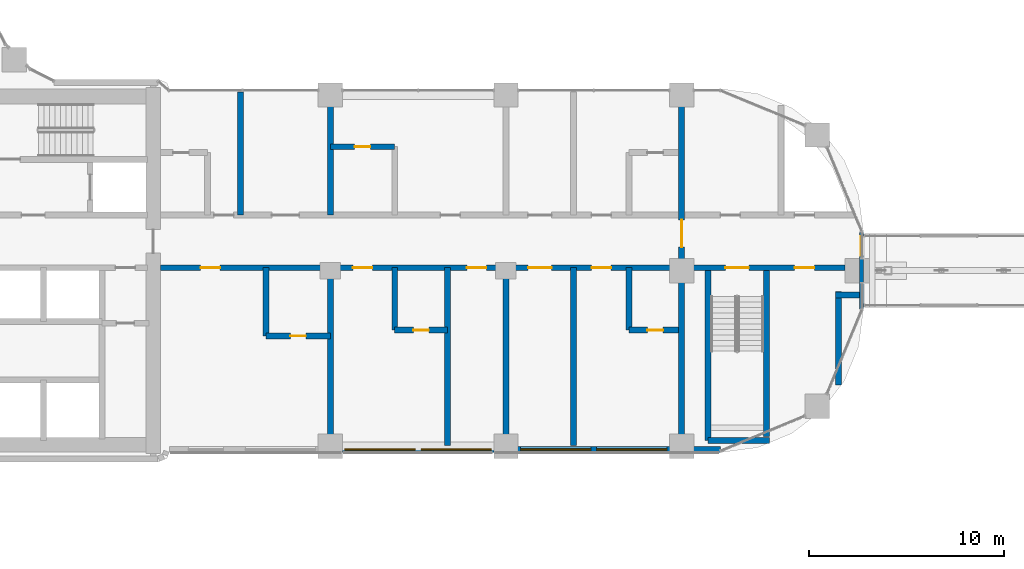
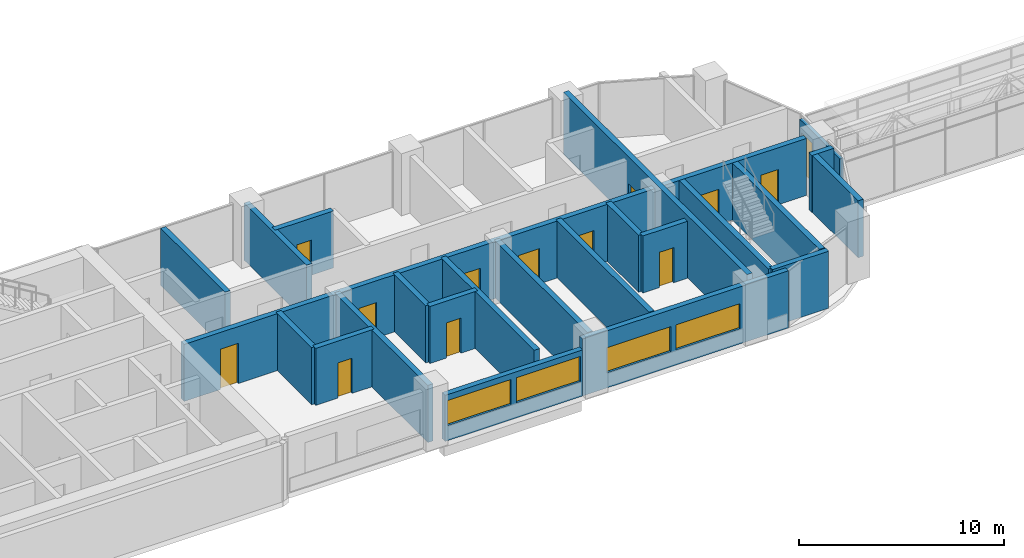
# One storey, part 20 of 33: 24 walls, 13 doors, 4 windows, 17 openings.
"""IFC4 building model written with IfcOpenShell, lengths in metres."""

from ifc_helpers import new_model, si_unit, direction, frame, frame_2d, origin, place, context, subcontext, project, spatial, rectangle, extrude, material, layer, layer_set, type_object, element, fill, save


model = new_model("IFC4")

# Units and contexts
model_context = context("Model", 3, precision=1e-05, world=origin(), true_north=direction((0.0, 1.0)))
body_context = subcontext(model_context, "Body", "Model", "MODEL_VIEW")
ifc_project = project(units=[si_unit("LENGTHUNIT", "METRE"), si_unit("AREAUNIT", "SQUARE_METRE"), si_unit("VOLUMEUNIT", "CUBIC_METRE"), si_unit("PLANEANGLEUNIT", "RADIAN"), si_unit("MASSUNIT", "GRAM", prefix="KILO")], contexts=[model_context])

# Site, building, storey
site_placement = place(None, origin())
site = spatial("IfcSite", under=ifc_project, at=site_placement, CompositionType="ELEMENT")
building_placement = place(site_placement, origin())
building = spatial("IfcBuilding", under=site, at=building_placement, Name="Ogive Portal Towers", CompositionType="ELEMENT")
storey_placement = place(building_placement, frame((0.0, 0.0, 101.89990234375)))
storey = spatial("IfcBuildingStorey", under=building, at=storey_placement, Name="L24", CompositionType="ELEMENT", Elevation=101.89990234375)

# Wall, opening, door
ifc_material_1 = material(Name="Limestone cladding on lightweight block wall", Category="masonry")
ifc_layer_1 = layer(ifc_material_1, 0.199951171875)
ifc_layer_set_1 = layer_set([ifc_layer_1], Name="BALCONY BAY WALL 200")
wall_type_1 = type_object("IfcWallType", Name="BALCONY BAY WALL 200", PredefinedType="SOLIDWALL", material=ifc_layer_set_1)
wall_1_placement = place(storey_placement, frame((94.719970703125, 32.4541015625, 0.0), z_axis=(0.0, 0.0, 1.0), x_axis=(0.0, -1.0, 0.0)))
wall_1 = element("IfcWall", 1, at=wall_1_placement, inside=storey, type_object=wall_type_1, Name="A:L24:glasscorr:doorwall", PredefinedType="SOLIDWALL", context=body_context, shape_type="SweptSolid", body=[
    extrude(rectangle(XDim=3.908203125, YDim=0.199951171875, at=frame_2d((1.9541015625, 0.0))), origin(), (0.0, 0.0, 1.0), 3.10009765625),
])
opening_1_placement = place(wall_1_placement, frame((0.19140625, 0.0, 0.0)))
opening_1 = element("IfcOpeningElement", 2, at=opening_1_placement, cuts=wall_1, Name="Opening DX055", PredefinedType="OPENING", context=body_context, shape_type="SweptSolid", body=[
    extrude(rectangle(XDim=1.0, YDim=2.39990234375, at=frame_2d((0.5, 1.199951171875))), frame((0.0, 0.10986328125, 0.0), z_axis=(0.0, -1.0, 0.0), x_axis=(1.0, 0.0, 0.0)), (0.0, 0.0, 1.0), 0.219970703125),
])
ifc_material_2 = material(Name="Steel S355", Category="steel")
door_type_1 = type_object("IfcDoorType", Name="FIRE EXIT DOOR 1000x2400", OperationType="SINGLE_SWING_LEFT", PredefinedType="DOOR", material=ifc_material_2)
door_1_placement = place(opening_1_placement, origin())
door_1 = element("IfcDoor", 3, at=door_1_placement, inside=storey, type_object=door_type_1, Name="A:L24:glasscorr:doorwall/o0", OperationType="SINGLE_SWING_LEFT", OverallHeight=2.39990234375, OverallWidth=1.0, PredefinedType="DOOR", context=body_context, shape_type="SweptSolid", body=[
    extrude(rectangle(XDim=1.0, YDim=2.39990234375, at=frame_2d((0.5, 1.199951171875))), frame((0.0, 0.02490234375, 0.0), z_axis=(0.0, -1.0, 0.0), x_axis=(1.0, 0.0, 0.0)), (0.0, 0.0, 1.0), 0.050048828125),
])
fill(opening_1, door_1)

# Wall, openings, windows
ifc_layer_2 = layer(ifc_material_1, 0.300048828125)
ifc_layer_set_2 = layer_set([ifc_layer_2], Name="EXTERNAL WALL 300 STONE")
wall_type_2 = type_object("IfcWallType", Name="EXTERNAL WALL 300 STONE", PredefinedType="SOLIDWALL", material=ifc_layer_set_2)
wall_2_placement = place(storey_placement, frame((68.125, 21.330078125, 0.0), z_axis=(0.0, 0.0, 1.0), x_axis=(1.0, 0.0, 0.0)))
wall_2 = element("IfcWall", 4, at=wall_2_placement, inside=storey, type_object=wall_type_2, Name="A:L24:f20:r0:wall1", PredefinedType="SOLIDWALL", context=body_context, shape_type="SweptSolid", body=[
    extrude(rectangle(XDim=7.75, YDim=0.300048828125, at=frame_2d((3.875, 0.0))), origin(), (0.0, 0.0, 1.0), 2.75),
])
opening_2_placement = place(wall_2_placement, frame((0.125, 0.0, 0.89990234375)))
opening_2 = element("IfcOpeningElement", 5, at=opening_2_placement, cuts=wall_2, Name="Opening WN12", PredefinedType="OPENING", context=body_context, shape_type="SweptSolid", body=[
    extrude(rectangle(XDim=3.60009765625, YDim=1.5, at=frame_2d((1.800048828125, 0.75))), frame((0.0, 0.16015625, 0.0), z_axis=(0.0, -1.0, 0.0), x_axis=(1.0, 0.0, 0.0)), (0.0, 0.0, 1.0), 0.320068359375),
])
opening_3_placement = place(wall_2_placement, frame((4.02490234375, 0.0, 0.89990234375)))
opening_3 = element("IfcOpeningElement", 6, at=opening_3_placement, cuts=wall_2, Name="Opening WN12", PredefinedType="OPENING", context=body_context, shape_type="SweptSolid", body=[
    extrude(rectangle(XDim=3.60009765625, YDim=1.5, at=frame_2d((1.800048828125, 0.75))), frame((0.0, 0.16015625, 0.0), z_axis=(0.0, -1.0, 0.0), x_axis=(1.0, 0.0, 0.0)), (0.0, 0.0, 1.0), 0.320068359375),
])
ifc_material_3 = material(Name="Glass, clear low-iron insulated glazing", Category="glass")
window_type = type_object("IfcWindowType", Name="WINDOW RIBBON 3600x1500", PartitioningType="TRIPLE_PANEL_VERTICAL", PredefinedType="WINDOW", material=ifc_material_3)
window_1_placement = place(opening_2_placement, origin())
window_1 = element("IfcWindow", 7, at=window_1_placement, inside=storey, type_object=window_type, Name="A:L24:f20:r0:w2", OverallHeight=1.5, OverallWidth=3.60009765625, PartitioningType="SINGLE_PANEL", PredefinedType="WINDOW", context=body_context, shape_type="SweptSolid", body=[
    extrude(rectangle(XDim=3.60009765625, YDim=1.5, at=frame_2d((1.800048828125, 0.75))), frame((0.0, 0.030029296875, 0.0), z_axis=(0.0, -1.0, 0.0), x_axis=(1.0, 0.0, 0.0)), (0.0, 0.0, 1.0), 0.06005859375),
])
fill(opening_2, window_1)
window_2_placement = place(opening_3_placement, origin())
window_2 = element("IfcWindow", 8, at=window_2_placement, inside=storey, type_object=window_type, Name="A:L24:f20:r0:w3", OverallHeight=1.5, OverallWidth=3.60009765625, PartitioningType="SINGLE_PANEL", PredefinedType="WINDOW", context=body_context, shape_type="SweptSolid", body=[
    extrude(rectangle(XDim=3.60009765625, YDim=1.5, at=frame_2d((1.800048828125, 0.75))), frame((0.0, 0.030029296875, 0.0), z_axis=(0.0, -1.0, 0.0), x_axis=(1.0, 0.0, 0.0)), (0.0, 0.0, 1.0), 0.06005859375),
])
fill(opening_3, window_2)

wall_3_placement = place(storey_placement, frame((75.875, 21.330078125, 0.0), z_axis=(0.0, 0.0, 1.0), x_axis=(1.0, 0.0, 0.0)))
wall_3 = element("IfcWall", 9, at=wall_3_placement, inside=storey, type_object=wall_type_2, Name="A:L24:f20:r0:wall2", PredefinedType="SOLIDWALL", context=body_context, shape_type="SweptSolid", body=[
    extrude(rectangle(XDim=11.609130859375, YDim=0.300048828125, at=frame_2d((5.8046875, 0.0))), origin(), (0.0, 0.0, 1.0), 3.400146484375),
])
opening_4_placement = place(wall_3_placement, frame((1.375, 0.0, 0.89990234375)))
opening_4 = element("IfcOpeningElement", 10, at=opening_4_placement, cuts=wall_3, Name="Opening WN12", PredefinedType="OPENING", context=body_context, shape_type="SweptSolid", body=[
    extrude(rectangle(XDim=3.60009765625, YDim=1.5, at=frame_2d((1.800048828125, 0.75))), frame((0.0, 0.16015625, 0.0), z_axis=(0.0, -1.0, 0.0), x_axis=(1.0, 0.0, 0.0)), (0.0, 0.0, 1.0), 0.320068359375),
])
opening_5_placement = place(wall_3_placement, frame((5.27490234375, 0.0, 0.89990234375)))
opening_5 = element("IfcOpeningElement", 11, at=opening_5_placement, cuts=wall_3, Name="Opening WN12", PredefinedType="OPENING", context=body_context, shape_type="SweptSolid", body=[
    extrude(rectangle(XDim=3.60009765625, YDim=1.5, at=frame_2d((1.800048828125, 0.75))), frame((0.0, 0.16015625, 0.0), z_axis=(0.0, -1.0, 0.0), x_axis=(1.0, 0.0, 0.0)), (0.0, 0.0, 1.0), 0.320068359375),
])
window_3_placement = place(opening_4_placement, origin())
window_3 = element("IfcWindow", 12, at=window_3_placement, inside=storey, type_object=window_type, Name="A:L24:f20:r0:w4", OverallHeight=1.5, OverallWidth=3.60009765625, PartitioningType="SINGLE_PANEL", PredefinedType="WINDOW", context=body_context, shape_type="SweptSolid", body=[
    extrude(rectangle(XDim=3.60009765625, YDim=1.5, at=frame_2d((1.800048828125, 0.75))), frame((0.0, 0.030029296875, 0.0), z_axis=(0.0, -1.0, 0.0), x_axis=(1.0, 0.0, 0.0)), (0.0, 0.0, 1.0), 0.06005859375),
])
fill(opening_4, window_3)
window_4_placement = place(opening_5_placement, origin())
window_4 = element("IfcWindow", 13, at=window_4_placement, inside=storey, type_object=window_type, Name="A:L24:f20:r0:w5", OverallHeight=1.5, OverallWidth=3.60009765625, PartitioningType="SINGLE_PANEL", PredefinedType="WINDOW", context=body_context, shape_type="SweptSolid", body=[
    extrude(rectangle(XDim=3.60009765625, YDim=1.5, at=frame_2d((1.800048828125, 0.75))), frame((0.0, 0.030029296875, 0.0), z_axis=(0.0, -1.0, 0.0), x_axis=(1.0, 0.0, 0.0)), (0.0, 0.0, 1.0), 0.06005859375),
])
fill(opening_5, window_4)

# Wall, opening, door
ifc_material_4 = material(Name="Concrete C60/75", Category="concrete")
ifc_layer_3 = layer(ifc_material_4, 0.300048828125)
ifc_layer_set_3 = layer_set([ifc_layer_3], Name="REVEAL WALL 300 C60")
wall_type_3 = type_object("IfcWallType", Name="REVEAL WALL 300 C60", PredefinedType="SHEAR", material=ifc_layer_set_3)
wall_4_placement = place(storey_placement, frame((85.5, 21.530029296875, 0.0), z_axis=(0.0, 0.0, 1.0), x_axis=(0.0, 1.0, 0.0)))
wall_4 = element("IfcWall", 14, at=wall_4_placement, inside=storey, type_object=wall_type_3, Name="Portal reveal wall L24", PredefinedType="SHEAR", context=body_context, shape_type="SweptSolid", body=[
    extrude(rectangle(XDim=17.93994140625, YDim=0.300048828125, at=frame_2d((8.969970703125, 0.0))), origin(), (0.0, 0.0, 1.0), 3.7001953125),
])
opening_6_placement = place(wall_4_placement, frame((10.169921875, 0.0, 0.0)))
opening_6 = element("IfcOpeningElement", 15, at=opening_6_placement, cuts=wall_4, Name="Opening D08-064", PredefinedType="OPENING", context=body_context, shape_type="SweptSolid", body=[
    extrude(rectangle(XDim=1.39990234375, YDim=2.10009765625, at=frame_2d((0.699951171875, 1.050048828125))), frame((0.0, 0.16015625, 0.0), z_axis=(0.0, -1.0, 0.0), x_axis=(1.0, 0.0, 0.0)), (0.0, 0.0, 1.0), 0.320068359375),
])
ifc_material_5 = material(Name="Steel fire door", Category="steel")
door_type_2 = type_object("IfcDoorType", Name="DT-STAIR-1400x2100-FD90S", OperationType="SINGLE_SWING_LEFT", PredefinedType="DOOR", material=ifc_material_5)
door_2_placement = place(opening_6_placement, origin())
door_2 = element("IfcDoor", 16, at=door_2_placement, inside=storey, type_object=door_type_2, Name="Door D08-064", OperationType="SINGLE_SWING_RIGHT", OverallHeight=2.10009765625, OverallWidth=1.39990234375, PredefinedType="DOOR", context=body_context, shape_type="SweptSolid", body=[
    extrude(rectangle(XDim=1.39990234375, YDim=2.10009765625, at=frame_2d((0.699951171875, 1.050048828125))), frame((0.0, 0.02490234375, 0.0), z_axis=(0.0, -1.0, 0.0), x_axis=(1.0, 0.0, 0.0)), (0.0, 0.0, 1.0), 0.050048828125),
])
fill(opening_6, door_2)

# Wall
ifc_material_6 = material(Name="Concrete C50/60", Category="concrete")
ifc_layer_4 = layer(ifc_material_6, 0.300048828125)
ifc_layer_set_4 = layer_set([ifc_layer_4], Name="STAIR WALL 300 C50")
wall_type_4 = type_object("IfcWallType", Name="STAIR WALL 300 C50", PredefinedType="SHEAR", material=ifc_layer_set_4)
wall_5_placement = place(storey_placement, frame((86.85009765625, 21.800048828125, 0.0), z_axis=(0.0, 0.0, 1.0), x_axis=(1.0, 0.0, 0.0)))
element("IfcWall", 17, at=wall_5_placement, inside=storey, type_object=wall_type_4, Name="Stair wall ST-A4 L24", PredefinedType="SHEAR", context=body_context, shape_type="SweptSolid", body=[
    extrude(rectangle(XDim=3.16796875, YDim=0.300048828125, at=frame_2d((1.583984375, 0.0))), origin(), (0.0, 0.0, 1.0), 3.400146484375),
])

# Wall, openings, doors
wall_6_placement = place(storey_placement, frame((85.669921875, 30.64990234375, 0.0), z_axis=(0.0, 0.0, 1.0), x_axis=(1.0, 0.0, 0.0)))
wall_6 = element("IfcWall", 18, at=wall_6_placement, inside=storey, type_object=wall_type_4, Name="Stair wall ST-A4 L24", PredefinedType="SHEAR", context=body_context, shape_type="SweptSolid", body=[
    extrude(rectangle(XDim=8.205078125, YDim=0.300048828125, at=frame_2d((4.1025390625, 0.0))), origin(), (0.0, 0.0, 1.0), 3.400146484375),
])
opening_7_placement = place(wall_6_placement, frame((2.080078125, 0.0, 0.0)))
opening_7 = element("IfcOpeningElement", 19, at=opening_7_placement, cuts=wall_6, Name="Opening D08-059", PredefinedType="OPENING", context=body_context, shape_type="SweptSolid", body=[
    extrude(rectangle(XDim=1.199951171875, YDim=2.10009765625, at=frame_2d((0.60009765625, 1.050048828125))), frame((0.0, 0.16015625, 0.0), z_axis=(0.0, -1.0, 0.0), x_axis=(1.0, 0.0, 0.0)), (0.0, 0.0, 1.0), 0.320068359375),
])
opening_8_placement = place(wall_6_placement, frame((5.6298828125, 0.0, 0.0)))
opening_8 = element("IfcOpeningElement", 20, at=opening_8_placement, cuts=wall_6, Name="Opening D08-062", PredefinedType="OPENING", context=body_context, shape_type="SweptSolid", body=[
    extrude(rectangle(XDim=1.0, YDim=2.10009765625, at=frame_2d((0.5, 1.050048828125))), frame((0.0, 0.16015625, 0.0), z_axis=(0.0, -1.0, 0.0), x_axis=(1.0, 0.0, 0.0)), (0.0, 0.0, 1.0), 0.320068359375),
])
door_type_3 = type_object("IfcDoorType", Name="DT-SERVICE-1000x2100-FD90S", OperationType="SINGLE_SWING_LEFT", PredefinedType="DOOR", material=ifc_material_5)
door_3_placement = place(opening_8_placement, origin())
door_3 = element("IfcDoor", 21, at=door_3_placement, inside=storey, type_object=door_type_3, Name="Door D08-062", OperationType="SINGLE_SWING_LEFT", OverallHeight=2.10009765625, OverallWidth=1.0, PredefinedType="DOOR", context=body_context, shape_type="SweptSolid", body=[
    extrude(rectangle(XDim=1.0, YDim=2.10009765625, at=frame_2d((0.5, 1.050048828125))), frame((0.0, 0.02490234375, 0.0), z_axis=(0.0, -1.0, 0.0), x_axis=(1.0, 0.0, 0.0)), (0.0, 0.0, 1.0), 0.050048828125),
])
fill(opening_8, door_3)
door_type_4 = type_object("IfcDoorType", Name="DT-STAIR-1200x2100-FD90S", OperationType="SINGLE_SWING_LEFT", PredefinedType="DOOR", material=ifc_material_5)
door_4_placement = place(opening_7_placement, origin())
door_4 = element("IfcDoor", 22, at=door_4_placement, inside=storey, type_object=door_type_4, Name="Door D08-059", OperationType="SINGLE_SWING_LEFT", OverallHeight=2.10009765625, OverallWidth=1.199951171875, PredefinedType="DOOR", context=body_context, shape_type="SweptSolid", body=[
    extrude(rectangle(XDim=1.199951171875, YDim=2.10009765625, at=frame_2d((0.60009765625, 1.050048828125))), frame((0.0, 0.02490234375, 0.0), z_axis=(0.0, -1.0, 0.0), x_axis=(1.0, 0.0, 0.0)), (0.0, 0.0, 1.0), 0.050048828125),
])
fill(opening_7, door_4)

# Walls
wall_7_placement = place(storey_placement, frame((86.85009765625, 21.800048828125, 0.0), z_axis=(0.0, 0.0, 1.0), x_axis=(0.0, 1.0, 0.0)))
element("IfcWall", 23, at=wall_7_placement, inside=storey, type_object=wall_type_4, Name="Stair wall ST-A4 L24", PredefinedType="SHEAR", context=body_context, shape_type="SweptSolid", body=[
    extrude(rectangle(XDim=8.849853515625, YDim=0.300048828125, at=frame_2d((4.4248046875, 0.0))), origin(), (0.0, 0.0, 1.0), 3.400146484375),
])
wall_8_placement = place(storey_placement, frame((89.85009765625, 21.9970703125, 0.0), z_axis=(0.0, 0.0, 1.0), x_axis=(0.0, 1.0, 0.0)))
element("IfcWall", 24, at=wall_8_placement, inside=storey, type_object=wall_type_4, Name="Stair wall ST-A4 L24", PredefinedType="SHEAR", context=body_context, shape_type="SweptSolid", body=[
    extrude(rectangle(XDim=8.65283203125, YDim=0.300048828125, at=frame_2d((4.326416015625, 0.0))), origin(), (0.0, 0.0, 1.0), 3.400146484375),
])

# Wall, openings, doors
ifc_material_7 = material(Name="Gypsum board partition on steel studs", Category="steel")
ifc_layer_5 = layer(ifc_material_7, 0.300048828125)
ifc_layer_set_5 = layer_set([ifc_layer_5], Name="WT-PART-300-EI 120")
wall_type_5 = type_object("IfcWallType", Name="WT-PART-300-EI 120", PredefinedType="PARTITIONING", material=ifc_layer_set_5)
wall_9_placement = place(storey_placement, frame((58.800048828125, 30.64990234375, 0.0), z_axis=(0.0, 0.0, 1.0), x_axis=(1.0, 0.0, 0.0)))
wall_9 = element("IfcWall", 25, at=wall_9_placement, inside=storey, type_object=wall_type_5, Name="Wall L24:w006", PredefinedType="PARTITIONING", context=body_context, shape_type="SweptSolid", body=[
    extrude(rectangle(XDim=26.530029296875, YDim=0.300048828125, at=frame_2d((13.26513671875, 0.0))), origin(), (0.0, 0.0, 1.0), 3.400146484375),
])
opening_9_placement = place(wall_9_placement, frame((2.050048828125, 0.0, 0.0)))
opening_9 = element("IfcOpeningElement", 26, at=opening_9_placement, cuts=wall_9, Name="Opening D08-029", PredefinedType="OPENING", context=body_context, shape_type="SweptSolid", body=[
    extrude(rectangle(XDim=1.0, YDim=2.39990234375, at=frame_2d((0.5, 1.199951171875))), frame((0.0, 0.16015625, 0.0), z_axis=(0.0, -1.0, 0.0), x_axis=(1.0, 0.0, 0.0)), (0.0, 0.0, 1.0), 0.320068359375),
])
opening_10_placement = place(wall_9_placement, frame((9.85009765625, 0.0, 0.0)))
opening_10 = element("IfcOpeningElement", 27, at=opening_10_placement, cuts=wall_9, Name="Opening D08-033", PredefinedType="OPENING", context=body_context, shape_type="SweptSolid", body=[
    extrude(rectangle(XDim=1.0, YDim=2.10009765625, at=frame_2d((0.5, 1.050048828125))), frame((0.0, 0.16015625, 0.0), z_axis=(0.0, -1.0, 0.0), x_axis=(1.0, 0.0, 0.0)), (0.0, 0.0, 1.0), 0.320068359375),
])
opening_11_placement = place(wall_9_placement, frame((15.699951171875, 0.0, 0.0)))
opening_11 = element("IfcOpeningElement", 28, at=opening_11_placement, cuts=wall_9, Name="Opening D08-034", PredefinedType="OPENING", context=body_context, shape_type="SweptSolid", body=[
    extrude(rectangle(XDim=1.0, YDim=2.10009765625, at=frame_2d((0.5, 1.050048828125))), frame((0.0, 0.16015625, 0.0), z_axis=(0.0, -1.0, 0.0), x_axis=(1.0, 0.0, 0.0)), (0.0, 0.0, 1.0), 0.320068359375),
])
opening_12_placement = place(wall_9_placement, frame((18.8349609375, 0.0, 0.0)))
opening_12 = element("IfcOpeningElement", 29, at=opening_12_placement, cuts=wall_9, Name="Opening D08-038", PredefinedType="OPENING", context=body_context, shape_type="SweptSolid", body=[
    extrude(rectangle(XDim=1.199951171875, YDim=2.10009765625, at=frame_2d((0.60009765625, 1.050048828125))), frame((0.0, 0.16015625, 0.0), z_axis=(0.0, -1.0, 0.0), x_axis=(1.0, 0.0, 0.0)), (0.0, 0.0, 1.0), 0.320068359375),
])
opening_13_placement = place(wall_9_placement, frame((22.0849609375, 0.0, 0.0)))
opening_13 = element("IfcOpeningElement", 30, at=opening_13_placement, cuts=wall_9, Name="Opening D08-040", PredefinedType="OPENING", context=body_context, shape_type="SweptSolid", body=[
    extrude(rectangle(XDim=1.0, YDim=2.10009765625, at=frame_2d((0.5, 1.050048828125))), frame((0.0, 0.16015625, 0.0), z_axis=(0.0, -1.0, 0.0), x_axis=(1.0, 0.0, 0.0)), (0.0, 0.0, 1.0), 0.320068359375),
])
door_type_5 = type_object("IfcDoorType", Name="DT-ENTRY-1000x2100-FD90S", OperationType="SINGLE_SWING_LEFT", PredefinedType="DOOR", material=ifc_material_5)
door_5_placement = place(opening_10_placement, origin())
door_5 = element("IfcDoor", 31, at=door_5_placement, inside=storey, type_object=door_type_5, Name="Door D08-033", OperationType="SINGLE_SWING_LEFT", OverallHeight=2.10009765625, OverallWidth=1.0, PredefinedType="DOOR", context=body_context, shape_type="SweptSolid", body=[
    extrude(rectangle(XDim=1.0, YDim=2.10009765625, at=frame_2d((0.5, 1.050048828125))), frame((0.0, 0.02490234375, 0.0), z_axis=(0.0, -1.0, 0.0), x_axis=(1.0, 0.0, 0.0)), (0.0, 0.0, 1.0), 0.050048828125),
])
fill(opening_10, door_5)
door_6_placement = place(opening_11_placement, origin())
door_6 = element("IfcDoor", 32, at=door_6_placement, inside=storey, type_object=door_type_5, Name="Door D08-034", OperationType="SINGLE_SWING_LEFT", OverallHeight=2.10009765625, OverallWidth=1.0, PredefinedType="DOOR", context=body_context, shape_type="SweptSolid", body=[
    extrude(rectangle(XDim=1.0, YDim=2.10009765625, at=frame_2d((0.5, 1.050048828125))), frame((0.0, 0.02490234375, 0.0), z_axis=(0.0, -1.0, 0.0), x_axis=(1.0, 0.0, 0.0)), (0.0, 0.0, 1.0), 0.050048828125),
])
fill(opening_11, door_6)
door_7_placement = place(opening_13_placement, origin())
door_7 = element("IfcDoor", 33, at=door_7_placement, inside=storey, type_object=door_type_5, Name="Door D08-040", OperationType="SINGLE_SWING_RIGHT", OverallHeight=2.10009765625, OverallWidth=1.0, PredefinedType="DOOR", context=body_context, shape_type="SweptSolid", body=[
    extrude(rectangle(XDim=1.0, YDim=2.10009765625, at=frame_2d((0.5, 1.050048828125))), frame((0.0, 0.02490234375, 0.0), z_axis=(0.0, -1.0, 0.0), x_axis=(1.0, 0.0, 0.0)), (0.0, 0.0, 1.0), 0.050048828125),
])
fill(opening_13, door_7)
door_type_6 = type_object("IfcDoorType", Name="DT-ENTRY-1000x2400-FD90S", OperationType="SINGLE_SWING_LEFT", PredefinedType="DOOR", material=ifc_material_5)
door_8_placement = place(opening_9_placement, origin())
door_8 = element("IfcDoor", 34, at=door_8_placement, inside=storey, type_object=door_type_6, Name="Door D08-029", OperationType="SINGLE_SWING_LEFT", OverallHeight=2.39990234375, OverallWidth=1.0, PredefinedType="DOOR", context=body_context, shape_type="SweptSolid", body=[
    extrude(rectangle(XDim=1.0, YDim=2.39990234375, at=frame_2d((0.5, 1.199951171875))), frame((0.0, 0.02490234375, 0.0), z_axis=(0.0, -1.0, 0.0), x_axis=(1.0, 0.0, 0.0)), (0.0, 0.0, 1.0), 0.050048828125),
])
fill(opening_9, door_8)
door_type_7 = type_object("IfcDoorType", Name="DT-ENTRY-1200x2100-FD90S", OperationType="SINGLE_SWING_LEFT", PredefinedType="DOOR", material=ifc_material_5)
door_9_placement = place(opening_12_placement, origin())
door_9 = element("IfcDoor", 35, at=door_9_placement, inside=storey, type_object=door_type_7, Name="Door D08-038", OperationType="SINGLE_SWING_LEFT", OverallHeight=2.10009765625, OverallWidth=1.199951171875, PredefinedType="DOOR", context=body_context, shape_type="SweptSolid", body=[
    extrude(rectangle(XDim=1.199951171875, YDim=2.10009765625, at=frame_2d((0.60009765625, 1.050048828125))), frame((0.0, 0.02490234375, 0.0), z_axis=(0.0, -1.0, 0.0), x_axis=(1.0, 0.0, 0.0)), (0.0, 0.0, 1.0), 0.050048828125),
])
fill(opening_12, door_9)

# Wall
wall_10_placement = place(storey_placement, frame((93.550048828125, 24.636962890625, 0.0), z_axis=(0.0, 0.0, 1.0), x_axis=(0.0, 1.0, 0.0)))
element("IfcWall", 36, at=wall_10_placement, inside=storey, type_object=wall_type_5, Name="Wall L24:w061", PredefinedType="PARTITIONING", context=body_context, shape_type="SweptSolid", body=[
    extrude(rectangle(XDim=4.782958984375, YDim=0.300048828125, at=frame_2d((2.3916015625, 0.0))), origin(), (0.0, 0.0, 1.0), 3.400146484375),
])

# Wall, opening, door
ifc_layer_6 = layer(ifc_material_7, 0.300048828125)
ifc_layer_set_6 = layer_set([ifc_layer_6], Name="WT-PART-300-EI 60")
wall_type_6 = type_object("IfcWallType", Name="WT-PART-300-EI 60", PredefinedType="PARTITIONING", material=ifc_layer_set_6)
wall_11_placement = place(storey_placement, frame((64.199951171875, 27.14990234375, 0.0), z_axis=(0.0, 0.0, 1.0), x_axis=(1.0, 0.0, 0.0)))
wall_11 = element("IfcWall", 37, at=wall_11_placement, inside=storey, type_object=wall_type_6, Name="Wall L24:w002", PredefinedType="PARTITIONING", context=body_context, shape_type="SweptSolid", body=[
    extrude(rectangle(XDim=3.300048828125, YDim=0.300048828125, at=frame_2d((1.64990234375, 0.0))), origin(), (0.0, 0.0, 1.0), 3.400146484375),
])
opening_14_placement = place(wall_11_placement, frame((1.25, 0.0, 0.0)))
opening_14 = element("IfcOpeningElement", 38, at=opening_14_placement, cuts=wall_11, Name="Opening D08-028", PredefinedType="OPENING", context=body_context, shape_type="SweptSolid", body=[
    extrude(rectangle(XDim=0.800048828125, YDim=2.10009765625, at=frame_2d((0.39990234375, 1.050048828125))), frame((0.0, 0.16015625, 0.0), z_axis=(0.0, -1.0, 0.0), x_axis=(1.0, 0.0, 0.0)), (0.0, 0.0, 1.0), 0.320068359375),
])
door_type_8 = type_object("IfcDoorType", Name="DT-BATH-800x2100-FD60S", OperationType="SINGLE_SWING_LEFT", PredefinedType="DOOR", material=ifc_material_5)
door_10_placement = place(opening_14_placement, origin())
door_10 = element("IfcDoor", 39, at=door_10_placement, inside=storey, type_object=door_type_8, Name="Door D08-028", OperationType="SINGLE_SWING_LEFT", OverallHeight=2.10009765625, OverallWidth=0.800048828125, PredefinedType="DOOR", context=body_context, shape_type="SweptSolid", body=[
    extrude(rectangle(XDim=0.800048828125, YDim=2.10009765625, at=frame_2d((0.39990234375, 1.050048828125))), frame((0.0, 0.02490234375, 0.0), z_axis=(0.0, -1.0, 0.0), x_axis=(1.0, 0.0, 0.0)), (0.0, 0.0, 1.0), 0.050048828125),
])
fill(opening_14, door_10)

wall_12_placement = place(storey_placement, frame((70.800048828125, 27.449951171875, 0.0), z_axis=(0.0, 0.0, 1.0), x_axis=(1.0, 0.0, 0.0)))
wall_12 = element("IfcWall", 40, at=wall_12_placement, inside=storey, type_object=wall_type_6, Name="Wall L24:w003", PredefinedType="PARTITIONING", context=body_context, shape_type="SweptSolid", body=[
    extrude(rectangle(XDim=2.699951171875, YDim=0.300048828125, at=frame_2d((1.35009765625, 0.0))), origin(), (0.0, 0.0, 1.0), 3.400146484375),
])
opening_15_placement = place(wall_12_placement, frame((0.949951171875, 0.0, 0.0)))
opening_15 = element("IfcOpeningElement", 41, at=opening_15_placement, cuts=wall_12, Name="Opening D08-032", PredefinedType="OPENING", context=body_context, shape_type="SweptSolid", body=[
    extrude(rectangle(XDim=0.800048828125, YDim=2.10009765625, at=frame_2d((0.39990234375, 1.050048828125))), frame((0.0, 0.16015625, 0.0), z_axis=(0.0, -1.0, 0.0), x_axis=(1.0, 0.0, 0.0)), (0.0, 0.0, 1.0), 0.320068359375),
])
door_11_placement = place(opening_15_placement, origin())
door_11 = element("IfcDoor", 42, at=door_11_placement, inside=storey, type_object=door_type_8, Name="Door D08-032", OperationType="SINGLE_SWING_RIGHT", OverallHeight=2.10009765625, OverallWidth=0.800048828125, PredefinedType="DOOR", context=body_context, shape_type="SweptSolid", body=[
    extrude(rectangle(XDim=0.800048828125, YDim=2.10009765625, at=frame_2d((0.39990234375, 1.050048828125))), frame((0.0, 0.02490234375, 0.0), z_axis=(0.0, -1.0, 0.0), x_axis=(1.0, 0.0, 0.0)), (0.0, 0.0, 1.0), 0.050048828125),
])
fill(opening_15, door_11)

wall_13_placement = place(storey_placement, frame((82.800048828125, 27.449951171875, 0.0), z_axis=(0.0, 0.0, 1.0), x_axis=(1.0, 0.0, 0.0)))
wall_13 = element("IfcWall", 43, at=wall_13_placement, inside=storey, type_object=wall_type_6, Name="Wall L24:w004", PredefinedType="PARTITIONING", context=body_context, shape_type="SweptSolid", body=[
    extrude(rectangle(XDim=2.530029296875, YDim=0.300048828125, at=frame_2d((1.26513671875, 0.0))), origin(), (0.0, 0.0, 1.0), 3.400146484375),
])
opening_16_placement = place(wall_13_placement, frame((0.949951171875, 0.0, 0.0)))
opening_16 = element("IfcOpeningElement", 44, at=opening_16_placement, cuts=wall_13, Name="Opening D08-039", PredefinedType="OPENING", context=body_context, shape_type="SweptSolid", body=[
    extrude(rectangle(XDim=0.800048828125, YDim=2.10009765625, at=frame_2d((0.39990234375, 1.050048828125))), frame((0.0, 0.16015625, 0.0), z_axis=(0.0, -1.0, 0.0), x_axis=(1.0, 0.0, 0.0)), (0.0, 0.0, 1.0), 0.320068359375),
])
door_12_placement = place(opening_16_placement, origin())
door_12 = element("IfcDoor", 45, at=door_12_placement, inside=storey, type_object=door_type_8, Name="Door D08-039", OperationType="SINGLE_SWING_LEFT", OverallHeight=2.10009765625, OverallWidth=0.800048828125, PredefinedType="DOOR", context=body_context, shape_type="SweptSolid", body=[
    extrude(rectangle(XDim=0.800048828125, YDim=2.10009765625, at=frame_2d((0.39990234375, 1.050048828125))), frame((0.0, 0.02490234375, 0.0), z_axis=(0.0, -1.0, 0.0), x_axis=(1.0, 0.0, 0.0)), (0.0, 0.0, 1.0), 0.050048828125),
])
fill(opening_16, door_12)

# Wall
wall_14_placement = place(storey_placement, frame((93.3798828125, 29.25, 0.0), z_axis=(0.0, 0.0, 1.0), x_axis=(1.0, 0.0, 0.0)))
element("IfcWall", 46, at=wall_14_placement, inside=storey, type_object=wall_type_6, Name="Wall L24:w005", PredefinedType="PARTITIONING", context=body_context, shape_type="SweptSolid", body=[
    extrude(rectangle(XDim=1.230224609375, YDim=0.300048828125, at=frame_2d((0.615234375, 0.0))), origin(), (0.0, 0.0, 1.0), 3.400146484375),
])

# Wall, opening, door
wall_15_placement = place(storey_placement, frame((67.5, 36.85009765625, 0.0), z_axis=(0.0, 0.0, 1.0), x_axis=(1.0, 0.0, 0.0)))
wall_15 = element("IfcWall", 47, at=wall_15_placement, inside=storey, type_object=wall_type_6, Name="Wall L24:w012", PredefinedType="PARTITIONING", context=body_context, shape_type="SweptSolid", body=[
    extrude(rectangle(XDim=3.300048828125, YDim=0.300048828125, at=frame_2d((1.64990234375, 0.0))), origin(), (0.0, 0.0, 1.0), 3.400146484375),
])
opening_17_placement = place(wall_15_placement, frame((1.25, 0.0, 0.0)))
opening_17 = element("IfcOpeningElement", 48, at=opening_17_placement, cuts=wall_15, Name="Opening D08-030", PredefinedType="OPENING", context=body_context, shape_type="SweptSolid", body=[
    extrude(rectangle(XDim=0.800048828125, YDim=2.10009765625, at=frame_2d((0.39990234375, 1.050048828125))), frame((0.0, 0.16015625, 0.0), z_axis=(0.0, -1.0, 0.0), x_axis=(1.0, 0.0, 0.0)), (0.0, 0.0, 1.0), 0.320068359375),
])
door_13_placement = place(opening_17_placement, origin())
door_13 = element("IfcDoor", 49, at=door_13_placement, inside=storey, type_object=door_type_8, Name="Door D08-030", OperationType="SINGLE_SWING_LEFT", OverallHeight=2.10009765625, OverallWidth=0.800048828125, PredefinedType="DOOR", context=body_context, shape_type="SweptSolid", body=[
    extrude(rectangle(XDim=0.800048828125, YDim=2.10009765625, at=frame_2d((0.39990234375, 1.050048828125))), frame((0.0, 0.02490234375, 0.0), z_axis=(0.0, -1.0, 0.0), x_axis=(1.0, 0.0, 0.0)), (0.0, 0.0, 1.0), 0.050048828125),
])
fill(opening_17, door_13)

# Walls
wall_16_placement = place(storey_placement, frame((62.89990234375, 33.35009765625, 0.0), z_axis=(0.0, 0.0, 1.0), x_axis=(0.0, 1.0, 0.0)))
element("IfcWall", 50, at=wall_16_placement, inside=storey, type_object=wall_type_6, Name="Wall L24:w044", PredefinedType="PARTITIONING", context=body_context, shape_type="SweptSolid", body=[
    extrude(rectangle(XDim=6.2998046875, YDim=0.300048828125, at=frame_2d((3.14990234375, 0.0))), origin(), (0.0, 0.0, 1.0), 3.400146484375),
])
wall_17_placement = place(storey_placement, frame((64.199951171875, 27.14990234375, 0.0), z_axis=(0.0, 0.0, 1.0), x_axis=(0.0, 1.0, 0.0)))
element("IfcWall", 51, at=wall_17_placement, inside=storey, type_object=wall_type_6, Name="Wall L24:w045", PredefinedType="PARTITIONING", context=body_context, shape_type="SweptSolid", body=[
    extrude(rectangle(XDim=3.5, YDim=0.300048828125, at=frame_2d((1.75, 0.0))), origin(), (0.0, 0.0, 1.0), 3.400146484375),
])
wall_18_placement = place(storey_placement, frame((67.5, 21.530029296875, 0.0), z_axis=(0.0, 0.0, 1.0), x_axis=(0.0, 1.0, 0.0)))
element("IfcWall", 52, at=wall_18_placement, inside=storey, type_object=wall_type_6, Name="Wall L24:w046", PredefinedType="PARTITIONING", context=body_context, shape_type="SweptSolid", body=[
    extrude(rectangle(XDim=9.119873046875, YDim=0.300048828125, at=frame_2d((4.56005859375, 0.0))), origin(), (0.0, 0.0, 1.0), 3.400146484375),
])
wall_19_placement = place(storey_placement, frame((67.5, 33.35009765625, 0.0), z_axis=(0.0, 0.0, 1.0), x_axis=(0.0, 1.0, 0.0)))
element("IfcWall", 53, at=wall_19_placement, inside=storey, type_object=wall_type_6, Name="Wall L24:w047", PredefinedType="PARTITIONING", context=body_context, shape_type="SweptSolid", body=[
    extrude(rectangle(XDim=6.119873046875, YDim=0.300048828125, at=frame_2d((3.06005859375, 0.0))), origin(), (0.0, 0.0, 1.0), 3.400146484375),
])
wall_20_placement = place(storey_placement, frame((70.800048828125, 27.449951171875, 0.0), z_axis=(0.0, 0.0, 1.0), x_axis=(0.0, 1.0, 0.0)))
element("IfcWall", 54, at=wall_20_placement, inside=storey, type_object=wall_type_6, Name="Wall L24:w048", PredefinedType="PARTITIONING", context=body_context, shape_type="SweptSolid", body=[
    extrude(rectangle(XDim=3.199951171875, YDim=0.300048828125, at=frame_2d((1.60009765625, 0.0))), origin(), (0.0, 0.0, 1.0), 3.400146484375),
])
for number, where, z_axis, x_axis, name in (
    (55, (73.5, 21.530029296875, 0.0), (0.0, 0.0, 1.0), (0.0, 1.0, 0.0), "Wall L24:w050"),
    (56, (76.5, 21.530029296875, 0.0), (0.0, 0.0, 1.0), (0.0, 1.0, 0.0), "Wall L24:w051"),
    (57, (79.969970703125, 21.530029296875, 0.0), (0.0, 0.0, 1.0), (0.0, 1.0, 0.0), "Wall L24:w053"),
):
    element("IfcWall", number, at=place(storey_placement, frame(where, z_axis=z_axis, x_axis=x_axis)), inside=storey, type_object=wall_type_6, Name=name, PredefinedType="PARTITIONING", context=body_context, shape_type="SweptSolid", body=[
        extrude(rectangle(XDim=9.119873046875, YDim=0.300048828125, at=frame_2d((4.56005859375, 0.0))), origin(), (0.0, 0.0, 1.0), 3.400146484375),
    ])
wall_21_placement = place(storey_placement, frame((82.800048828125, 27.449951171875, 0.0), z_axis=(0.0, 0.0, 1.0), x_axis=(0.0, 1.0, 0.0)))
element("IfcWall", 58, at=wall_21_placement, inside=storey, type_object=wall_type_6, Name="Wall L24:w055", PredefinedType="PARTITIONING", context=body_context, shape_type="SweptSolid", body=[
    extrude(rectangle(XDim=3.199951171875, YDim=0.300048828125, at=frame_2d((1.60009765625, 0.0))), origin(), (0.0, 0.0, 1.0), 3.400146484375),
])

save(model, "model.ifc")
